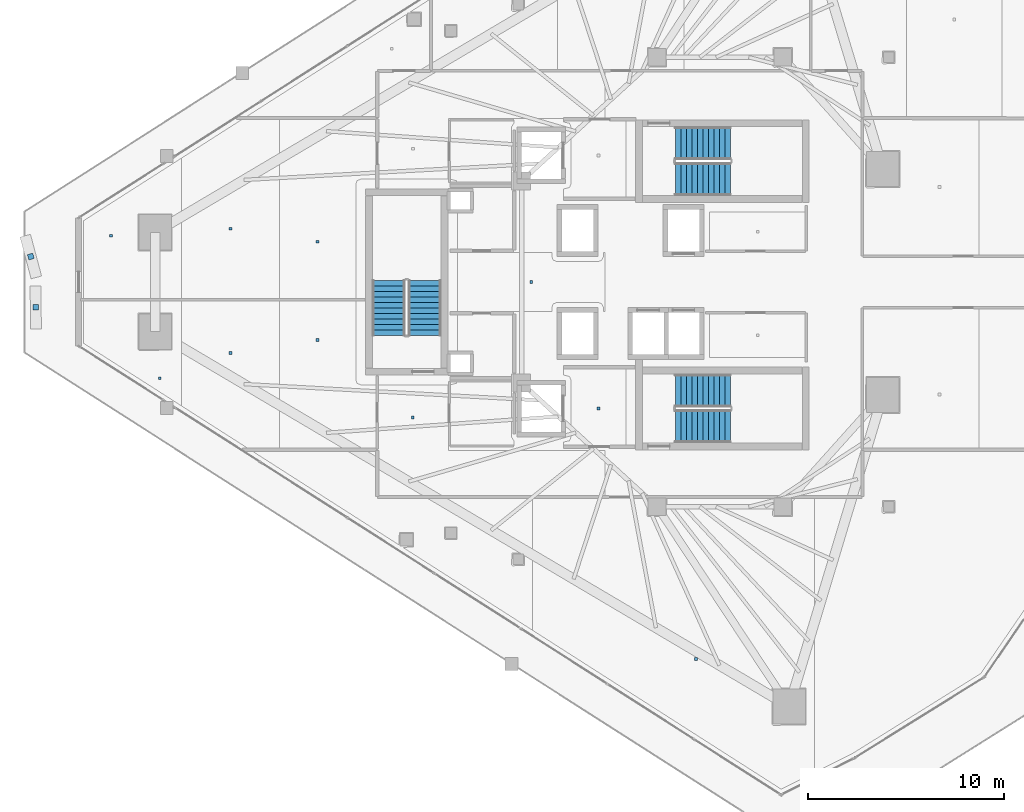
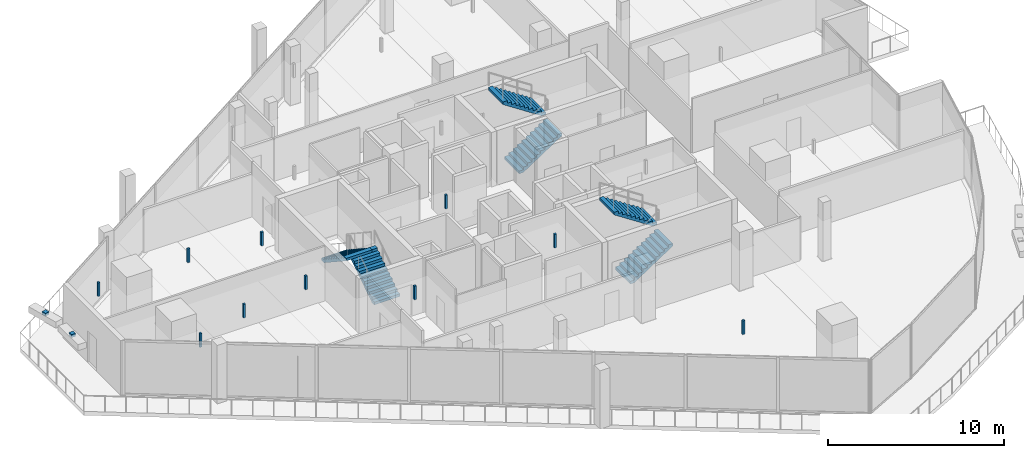
# One storey, part 23 of 30: 12 discrete accessories, 6 stair flights, 3 elements without a shape of their own.
"""IFC4 building model written with IfcOpenShell, lengths in metres."""

from ifc_helpers import new_model, si_unit, direction, frame, origin, origin_2d, place, context, subcontext, project, spatial, polyline, rectangle, outline, extrude, material, layer, layer_set, type_object, element, aggregate, save


model = new_model("IFC4")

# Units and contexts
model_context = context("Model", 3, precision=1e-05, world=origin(), true_north=direction((0.0, 1.0)))
body_context = subcontext(model_context, "Body", "Model", "MODEL_VIEW")
ifc_project = project(units=[si_unit("LENGTHUNIT", "METRE"), si_unit("AREAUNIT", "SQUARE_METRE"), si_unit("VOLUMEUNIT", "CUBIC_METRE"), si_unit("PLANEANGLEUNIT", "RADIAN"), si_unit("MASSUNIT", "GRAM", prefix="KILO")], contexts=[model_context])

# Site, building, storey
site_placement = place(None, origin())
site = spatial("IfcSite", under=ifc_project, at=site_placement, CompositionType="ELEMENT")
building_placement = place(site_placement, origin())
building = spatial("IfcBuilding", under=site, at=building_placement, Name="Qorvath Tower", CompositionType="ELEMENT")
storey_placement = place(building_placement, frame((0.0, 0.0, 217.199951171875)))
storey = spatial("IfcBuildingStorey", under=building, at=storey_placement, Name="L50", CompositionType="ELEMENT", Elevation=217.199951171875)

# Stair, stair flights
ifc_material_1 = material(Name="Concrete C50/60", Category="concrete")
stair_type = type_object("IfcStairType", Name="ST-H405", PredefinedType="HALF_TURN_STAIR", material=ifc_material_1)
stair_1_placement = place(storey_placement, origin())
stair_1 = element("IfcStair", 1, at=stair_1_placement, inside=storey, type_object=stair_type, Name="L50 Tower Exit Stair 1", PredefinedType="HALF_TURN_STAIR")
ifc_material_2 = material(Name="Concrete C50/60", Category="concrete")
ifc_layer = layer(ifc_material_2, 0.14990234375)
ifc_layer_set = layer_set([ifc_layer], Name="SF-H405")
stair_flight_type = type_object("IfcStairFlightType", Name="SF-H405", PredefinedType="STRAIGHT", material=ifc_layer_set)
stair_flight_1_placement = place(storey_placement, frame((-22.669921875, 5.239990234375, 0.0), z_axis=(0.0, 0.0, 1.0), x_axis=(1.0, 0.0, 0.0)))
stair_flight_1 = element("IfcStairFlight", 2, at=stair_flight_1_placement, type_object=stair_flight_type, Name="TS1 flight 1", NumberOfRisers=11, NumberOfTreads=10, PredefinedType="STRAIGHT", RiserHeight=0.184090909, TreadLength=0.28, context=body_context, shape_type="SweptSolid", body=[
    extrude(outline(polyline([(0.0, 0.0), (0.0, 0.18408203125), (0.280029296875, 0.18408203125), (0.280029296875, 0.3681640625), (0.56005859375, 0.3681640625), (0.56005859375, 0.55224609375), (0.840087890625, 0.55224609375), (0.840087890625, 0.736328125), (1.1201171875, 0.736328125), (1.1201171875, 0.92041015625), (1.39990234375, 0.92041015625), (1.39990234375, 1.1044921875), (1.679931640625, 1.1044921875), (1.679931640625, 1.28857421875), (1.9599609375, 1.28857421875), (1.9599609375, 1.47265625), (2.239990234375, 1.47265625), (2.239990234375, 1.65673828125), (2.52001953125, 1.65673828125), (2.52001953125, 1.8408203125), (2.800048828125, 1.8408203125), (2.800048828125, 2.02490234375), (2.800048828125, 1.66162109375), (0.27294921875, 0.0), (0.0, 0.0)])), frame((0.0, 0.83984375, 0.0), z_axis=(0.0, -1.0, 0.0), x_axis=(1.0, 0.0, 0.0)), (0.0, 0.0, 1.0), 1.679931640625),
])
stair_flight_2_placement = place(storey_placement, frame((-19.8701171875, 7.070068359375, 2.025146484375), z_axis=(0.0, 0.0, 1.0), x_axis=(-1.0, 0.0, 0.0)))
stair_flight_2 = element("IfcStairFlight", 3, at=stair_flight_2_placement, type_object=stair_flight_type, Name="TS1 flight 2", NumberOfRisers=11, NumberOfTreads=10, PredefinedType="STRAIGHT", RiserHeight=0.184090909, TreadLength=0.28, context=body_context, shape_type="SweptSolid", body=[
    extrude(outline(polyline([(0.0, 0.0), (0.0, 0.18408203125), (0.280029296875, 0.18408203125), (0.280029296875, 0.3681640625), (0.56005859375, 0.3681640625), (0.56005859375, 0.55224609375), (0.840087890625, 0.55224609375), (0.840087890625, 0.736328125), (1.1201171875, 0.736328125), (1.1201171875, 0.92041015625), (1.39990234375, 0.92041015625), (1.39990234375, 1.1044921875), (1.679931640625, 1.1044921875), (1.679931640625, 1.28857421875), (1.9599609375, 1.28857421875), (1.9599609375, 1.47265625), (2.239990234375, 1.47265625), (2.239990234375, 1.65673828125), (2.52001953125, 1.65673828125), (2.52001953125, 1.8408203125), (2.800048828125, 1.8408203125), (2.800048828125, 2.02490234375), (2.800048828125, 1.66162109375), (0.27294921875, 0.0), (0.0, 0.0)])), frame((0.0, 0.83984375, 0.0), z_axis=(0.0, -1.0, 0.0), x_axis=(1.0, 0.0, 0.0)), (0.0, 0.0, 1.0), 1.679931640625),
])
aggregate(stair_1, [stair_flight_1, stair_flight_2])

stair_2_placement = place(storey_placement, origin())
stair_2 = element("IfcStair", 4, at=stair_2_placement, inside=storey, type_object=stair_type, Name="L50 Tower Exit Stair 2", PredefinedType="HALF_TURN_STAIR")
stair_flight_3_placement = place(storey_placement, frame((-22.669921875, -7.360107421875, 0.0), z_axis=(0.0, 0.0, 1.0), x_axis=(1.0, 0.0, 0.0)))
stair_flight_3 = element("IfcStairFlight", 5, at=stair_flight_3_placement, type_object=stair_flight_type, Name="TS2 flight 1", NumberOfRisers=11, NumberOfTreads=10, PredefinedType="STRAIGHT", RiserHeight=0.184090909, TreadLength=0.28, context=body_context, shape_type="SweptSolid", body=[
    extrude(outline(polyline([(0.0, 0.0), (0.0, 0.18408203125), (0.280029296875, 0.18408203125), (0.280029296875, 0.3681640625), (0.56005859375, 0.3681640625), (0.56005859375, 0.55224609375), (0.840087890625, 0.55224609375), (0.840087890625, 0.736328125), (1.1201171875, 0.736328125), (1.1201171875, 0.92041015625), (1.39990234375, 0.92041015625), (1.39990234375, 1.1044921875), (1.679931640625, 1.1044921875), (1.679931640625, 1.28857421875), (1.9599609375, 1.28857421875), (1.9599609375, 1.47265625), (2.239990234375, 1.47265625), (2.239990234375, 1.65673828125), (2.52001953125, 1.65673828125), (2.52001953125, 1.8408203125), (2.800048828125, 1.8408203125), (2.800048828125, 2.02490234375), (2.800048828125, 1.66162109375), (0.27294921875, 0.0), (0.0, 0.0)])), frame((0.0, 0.83984375, 0.0), z_axis=(0.0, -1.0, 0.0), x_axis=(1.0, 0.0, 0.0)), (0.0, 0.0, 1.0), 1.679931640625),
])
stair_flight_4_placement = place(storey_placement, frame((-19.8701171875, -5.530029296875, 2.025146484375), z_axis=(0.0, 0.0, 1.0), x_axis=(-1.0, 0.0, 0.0)))
stair_flight_4 = element("IfcStairFlight", 6, at=stair_flight_4_placement, type_object=stair_flight_type, Name="TS2 flight 2", NumberOfRisers=11, NumberOfTreads=10, PredefinedType="STRAIGHT", RiserHeight=0.184090909, TreadLength=0.28, context=body_context, shape_type="SweptSolid", body=[
    extrude(outline(polyline([(0.0, 0.0), (0.0, 0.18408203125), (0.280029296875, 0.18408203125), (0.280029296875, 0.3681640625), (0.56005859375, 0.3681640625), (0.56005859375, 0.55224609375), (0.840087890625, 0.55224609375), (0.840087890625, 0.736328125), (1.1201171875, 0.736328125), (1.1201171875, 0.92041015625), (1.39990234375, 0.92041015625), (1.39990234375, 1.1044921875), (1.679931640625, 1.1044921875), (1.679931640625, 1.28857421875), (1.9599609375, 1.28857421875), (1.9599609375, 1.47265625), (2.239990234375, 1.47265625), (2.239990234375, 1.65673828125), (2.52001953125, 1.65673828125), (2.52001953125, 1.8408203125), (2.800048828125, 1.8408203125), (2.800048828125, 2.02490234375), (2.800048828125, 1.66162109375), (0.27294921875, 0.0), (0.0, 0.0)])), frame((0.0, 0.83984375, 0.0), z_axis=(0.0, -1.0, 0.0), x_axis=(1.0, 0.0, 0.0)), (0.0, 0.0, 1.0), 1.679931640625),
])
aggregate(stair_2, [stair_flight_3, stair_flight_4])

stair_3_placement = place(storey_placement, origin())
stair_3 = element("IfcStair", 7, at=stair_3_placement, inside=storey, type_object=stair_type, Name="L50 Tower Exit Stair 3", PredefinedType="HALF_TURN_STAIR")
stair_flight_5_placement = place(storey_placement, frame((-35.43994140625, -2.719970703125, 0.0), z_axis=(0.0, 0.0, 1.0), x_axis=(0.0, 1.0, 0.0)))
stair_flight_5 = element("IfcStairFlight", 8, at=stair_flight_5_placement, type_object=stair_flight_type, Name="TS3 flight 1", NumberOfRisers=11, NumberOfTreads=10, PredefinedType="STRAIGHT", RiserHeight=0.184090909, TreadLength=0.28, context=body_context, shape_type="SweptSolid", body=[
    extrude(outline(polyline([(0.0, 0.0), (0.0, 0.18408203125), (0.280029296875, 0.18408203125), (0.280029296875, 0.3681640625), (0.56005859375, 0.3681640625), (0.56005859375, 0.55224609375), (0.840087890625, 0.55224609375), (0.840087890625, 0.736328125), (1.1201171875, 0.736328125), (1.1201171875, 0.92041015625), (1.39990234375, 0.92041015625), (1.39990234375, 1.1044921875), (1.679931640625, 1.1044921875), (1.679931640625, 1.28857421875), (1.9599609375, 1.28857421875), (1.9599609375, 1.47265625), (2.239990234375, 1.47265625), (2.239990234375, 1.65673828125), (2.52001953125, 1.65673828125), (2.52001953125, 1.8408203125), (2.800048828125, 1.8408203125), (2.800048828125, 2.02490234375), (2.800048828125, 1.66162109375), (0.27294921875, 0.0), (0.0, 0.0)])), frame((0.0, 0.83984375, 0.0), z_axis=(0.0, -1.0, 0.0), x_axis=(1.0, 0.0, 0.0)), (0.0, 0.0, 1.0), 1.679931640625),
])
stair_flight_6_placement = place(storey_placement, frame((-37.27001953125, 0.080078125, 2.025146484375), z_axis=(0.0, 0.0, 1.0), x_axis=(0.0, -1.0, 0.0)))
stair_flight_6 = element("IfcStairFlight", 9, at=stair_flight_6_placement, type_object=stair_flight_type, Name="TS3 flight 2", NumberOfRisers=11, NumberOfTreads=10, PredefinedType="STRAIGHT", RiserHeight=0.184090909, TreadLength=0.28, context=body_context, shape_type="SweptSolid", body=[
    extrude(outline(polyline([(0.0, 0.0), (0.0, 0.18408203125), (0.280029296875, 0.18408203125), (0.280029296875, 0.3681640625), (0.56005859375, 0.3681640625), (0.56005859375, 0.55224609375), (0.840087890625, 0.55224609375), (0.840087890625, 0.736328125), (1.1201171875, 0.736328125), (1.1201171875, 0.92041015625), (1.39990234375, 0.92041015625), (1.39990234375, 1.1044921875), (1.679931640625, 1.1044921875), (1.679931640625, 1.28857421875), (1.9599609375, 1.28857421875), (1.9599609375, 1.47265625), (2.239990234375, 1.47265625), (2.239990234375, 1.65673828125), (2.52001953125, 1.65673828125), (2.52001953125, 1.8408203125), (2.800048828125, 1.8408203125), (2.800048828125, 2.02490234375), (2.800048828125, 1.66162109375), (0.27294921875, 0.0), (0.0, 0.0)])), frame((0.0, 0.83984375, 0.0), z_axis=(0.0, -1.0, 0.0), x_axis=(1.0, 0.0, 0.0)), (0.0, 0.0, 1.0), 1.679931640625),
])
aggregate(stair_3, [stair_flight_5, stair_flight_6])

# Discrete accessories
ifc_material_3 = material(Name="Galvanised steel bracket", Category="steel")
discrete_accessory_type = type_object("IfcDiscreteAccessoryType", Name="DA-BRACKET", PredefinedType="BRACKET", material=ifc_material_3)
for number, where, z_axis, x_axis, name in (
    (10, (-55.50830078125, 1.296142578125, 3.64013671875), (0.0, 0.0, 1.0), (0.258185106583, -0.966095466679, 0.0), "Louvre Wave Support Bracket L50-01"),
    (11, (-55.256103515625, -1.296142578125, 3.64013671875), (0.0, 0.0, 1.0), (0.011948239752, -0.999928617236, 0.0), "Louvre Wave Support Bracket L50-02"),
):
    element("IfcDiscreteAccessory", number, at=place(storey_placement, frame(where, z_axis=z_axis, x_axis=x_axis)), inside=storey, type_object=discrete_accessory_type, Name=name, PredefinedType="NOTDEFINED", context=body_context, shape_type="SweptSolid", body=[
        extrude(rectangle(XDim=0.280029296875, YDim=0.280029296875, at=origin_2d()), origin(), (0.0, 0.0, 1.0), 0.199951171875),
    ])
for number, where, z_axis, x_axis, name in (
    (12, (-26.590087890625, -6.449951171875, 2.85986328125), (0.0, 0.0, 1.0), (1.0, 0.0, 0.0), "Acoustic Ceiling Suspension Hanger T1-L50-002"),
    (13, (-36.04150390625, -6.907470703125, 2.85986328125), (0.0, 0.0, 1.0), (1.0, 0.0, 0.0), "Acoustic Ceiling Suspension Hanger T1-L50-009"),
    (14, (-30.009521484375, 0.0, 2.85986328125), (0.0, 0.0, 1.0), (1.0, 0.0, 0.0), "Acoustic Ceiling Suspension Hanger T1-L50-011"),
    (15, (-21.61279296875, -19.212158203125, 2.85986328125), (0.0, 0.0, 1.0), (1.0, 0.0, 0.0), "Acoustic Ceiling Suspension Hanger T1-L50-020"),
    (16, (-48.934326171875, -4.89990234375, 2.85986328125), (0.0, 0.0, 1.0), (1.0, 0.0, 0.0), "Acoustic Ceiling Suspension Hanger T1-L50-026"),
    (17, (-45.337890625, -3.61376953125, 2.85986328125), (0.0, 0.0, 1.0), (1.0, 0.0, 0.0), "Acoustic Ceiling Suspension Hanger T1-L50-027"),
    (18, (-40.898193359375, -2.95263671875, 2.85986328125), (0.0, 0.0, 1.0), (1.0, 0.0, 0.0), "Acoustic Ceiling Suspension Hanger T1-L50-028"),
    (19, (-51.426025390625, 2.356201171875, 2.85986328125), (0.0, 0.0, 1.0), (1.0, 0.0, 0.0), "Acoustic Ceiling Suspension Hanger T1-L50-029"),
    (20, (-45.337890625, 2.70751953125, 2.85986328125), (0.0, 0.0, 1.0), (1.0, 0.0, 0.0), "Acoustic Ceiling Suspension Hanger T1-L50-030"),
    (21, (-40.898193359375, 2.04638671875, 2.85986328125), (0.0, 0.0, 1.0), (1.0, 0.0, 0.0), "Acoustic Ceiling Suspension Hanger T1-L50-031"),
):
    element("IfcDiscreteAccessory", number, at=place(storey_placement, frame(where, z_axis=z_axis, x_axis=x_axis)), inside=storey, type_object=discrete_accessory_type, Name=name, PredefinedType="NOTDEFINED", context=body_context, shape_type="SweptSolid", body=[
        extrude(rectangle(XDim=0.139892578125, YDim=0.139892578125, at=origin_2d()), origin(), (0.0, 0.0, 1.0), 0.949951171875),
    ])

save(model, "model.ifc")
